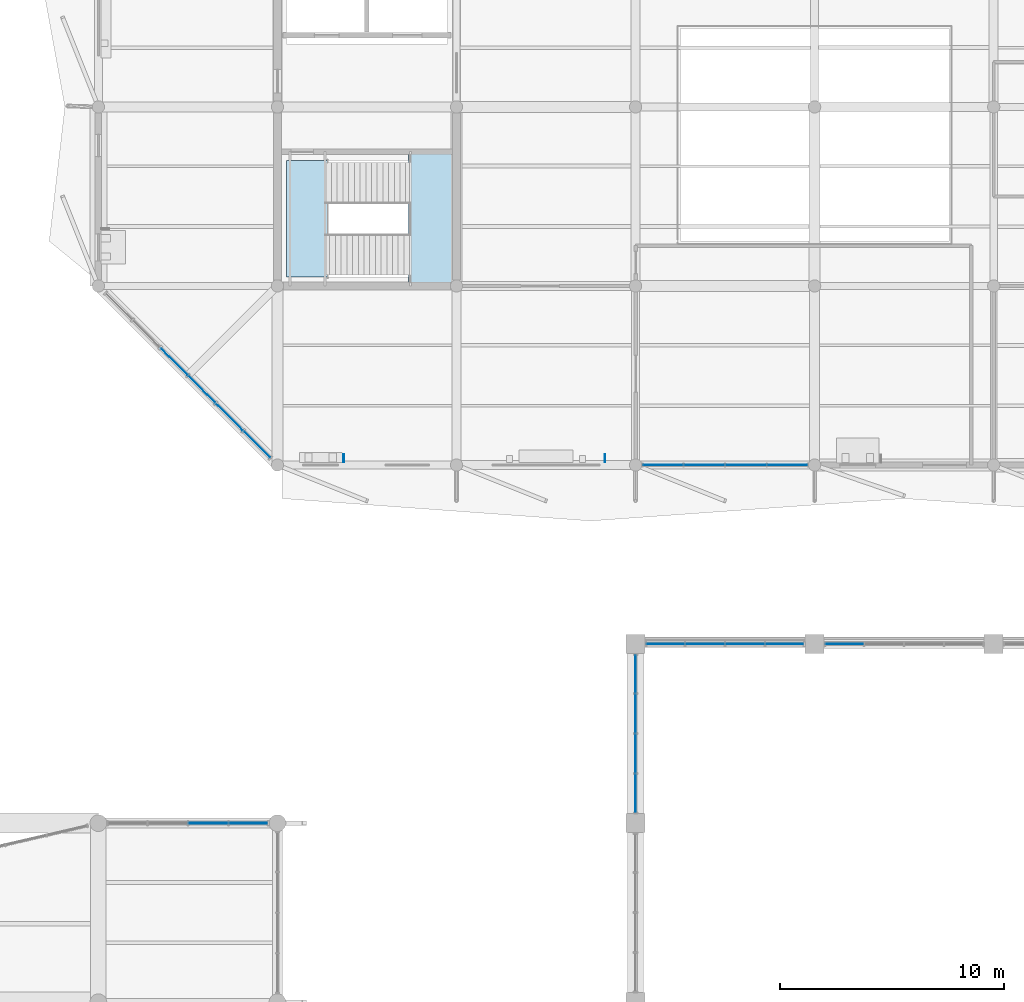
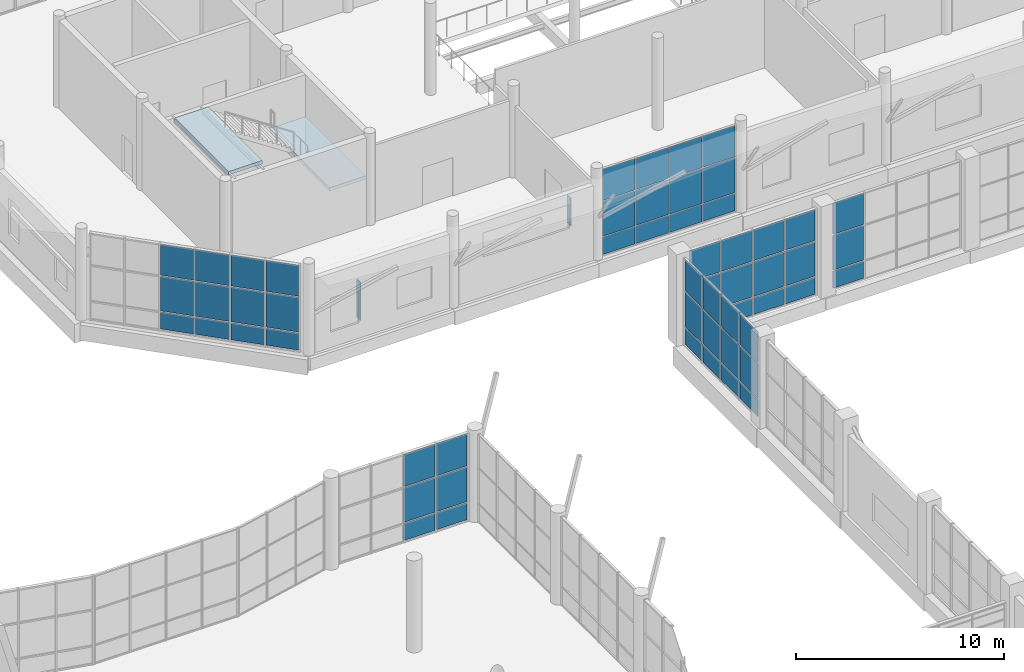
# One storey, part 88 of 122: 59 plates, 2 slabs, 7 elements without a shape of their own.
"""IFC4 building model written with IfcOpenShell, lengths in metres."""

import ifcopenshell
import ifcopenshell.guid

model = None  # the IFC model being written
_history = None  # IfcOwnerHistory: only IFC2X3 demands one
_inside = {}  # id of a spatial element -> (the spatial element, [elements in it])
_under = {}  # id of a project, library or spatial element -> (it, [spatial elements below it])
_declared = {}  # id of a project -> (the project, [libraries it declares])
_typed = {}  # id of a type object -> (the type object, [elements of that type])
_made_of = {}  # id of a material, layer set ... -> (it, [elements and type objects made of it])


def new_model(schema):
    """Start an empty IFC model of exactly this schema.

    Asked for "IFC4X3", IfcOpenShell would pick the latest addendum, in which some entities
    have other attributes; the version numbers below select the first issue.
    IFC2X3 requires an IfcOwnerHistory on every rooted entity: one is made here for all.
    """
    global model, _history
    if schema == "IFC4X3":
        model = ifcopenshell.file(schema_version=(4, 3, 0, 0))
    else:
        model = ifcopenshell.file(schema=schema)
    _inside.clear()
    _under.clear()
    _declared.clear()
    _typed.clear()
    _made_of.clear()
    _history = None
    if model.schema == "IFC2X3":
        org = make("IfcOrganization", Name="unknown")
        user = make(
            "IfcPersonAndOrganization",
            ThePerson=make("IfcPerson", FamilyName="unknown"),
            TheOrganization=org,
        )
        app = make(
            "IfcApplication",
            ApplicationDeveloper=org,
            Version="unknown",
            ApplicationFullName="unknown",
            ApplicationIdentifier="unknown",
        )
        _history = make(
            "IfcOwnerHistory",
            OwningUser=user,
            OwningApplication=app,
            ChangeAction="ADDED",
            CreationDate=0,
        )
    return model


def make(cls, **values):
    """One entity of the class cls with the attributes given. An attribute that is None is left unset."""
    return model.create_entity(
        cls, **{name: value for name, value in values.items() if value is not None}
    )


def rooted(cls, **values):
    """An entity with a GlobalId (a new one), such as an element, a storey or a relation."""
    return make(cls, GlobalId=ifcopenshell.guid.new(), OwnerHistory=_history, **values)


def si_unit(unit_type, name, prefix=None):
    """IfcSIUnit, for example si_unit("LENGTHUNIT", "METRE", prefix="MILLI")."""
    return make("IfcSIUnit", UnitType=unit_type, Prefix=prefix, Name=name)


def assignment(units):
    """IfcUnitAssignment: the units of a project."""
    return None if units is None else make("IfcUnitAssignment", Units=units)


def point(xyz):
    """IfcCartesianPoint."""
    return None if xyz is None else make("IfcCartesianPoint", Coordinates=xyz)


def direction(xyz):
    """IfcDirection."""
    return None if xyz is None else make("IfcDirection", DirectionRatios=xyz)


def frame(location, z_axis=None, x_axis=None):
    """IfcAxis2Placement3D, a coordinate frame: its origin and axes. An axis left out is left unset."""
    return make(
        "IfcAxis2Placement3D",
        Location=point(location),
        Axis=direction(z_axis),
        RefDirection=direction(x_axis),
    )


def frame_2d(location, x_axis=None):
    """IfcAxis2Placement2D, a coordinate frame in the plane: its origin and x axis."""
    return make(
        "IfcAxis2Placement2D", Location=point(location), RefDirection=direction(x_axis)
    )


def origin():
    """The frame at (0, 0, 0) with its axes left unset."""
    return frame((0.0, 0.0, 0.0))


def origin_2d():
    """The frame at (0, 0) in the plane with its x axis left unset."""
    return frame_2d((0.0, 0.0))


def place(relative_to, where):
    """IfcLocalPlacement: puts the frame where relative to a parent placement (None: the world)."""
    return make(
        "IfcLocalPlacement", PlacementRelTo=relative_to, RelativePlacement=where
    )


def context(
    kind, dimensions, precision=None, world=None, true_north=None, identifier=None
):
    """IfcGeometricRepresentationContext, for example the 3D "Model" context."""
    return make(
        "IfcGeometricRepresentationContext",
        ContextIdentifier=identifier,
        ContextType=kind,
        CoordinateSpaceDimension=dimensions,
        Precision=precision,
        WorldCoordinateSystem=world,
        TrueNorth=true_north,
    )


def subcontext(parent, identifier, kind, view, scale=None):
    """IfcGeometricRepresentationSubContext, for example "Body" below "Model"."""
    return make(
        "IfcGeometricRepresentationSubContext",
        ContextIdentifier=identifier,
        ContextType=kind,
        ParentContext=parent,
        TargetScale=scale,
        TargetView=view,
    )


def project(units=None, contexts=None):
    """IfcProject with its units and contexts."""
    return rooted(
        "IfcProject",
        Name="project",
        RepresentationContexts=contexts,
        UnitsInContext=assignment(units),
    )


def spatial(cls, under=None, at=None, **own):
    """A site, building, storey or space (cls), placed at a placement, below another one or the project."""
    s = rooted(cls, ObjectPlacement=at, **own)
    if under is not None:
        _under.setdefault(under.id(), (under, []))[1].append(s)
    return s


def polyline(points):
    """IfcPolyline through the points."""
    return make("IfcPolyline", Points=[point(p) for p in points])


def profile(cls, at=None, kind="AREA", **sizes):
    """A parametric profile (cls). Its sizes go by their IFC names, for example OverallWidth=200.0."""
    return make(cls, ProfileType=kind, Position=at, **sizes)


def rectangle(**sizes):
    """IfcRectangleProfileDef."""
    return profile("IfcRectangleProfileDef", **sizes)


def outline(outer, holes=None, kind="AREA"):
    """IfcArbitraryClosedProfileDef: a profile drawn as a closed curve; with holes, ...WithVoids."""
    if holes is None:
        return make("IfcArbitraryClosedProfileDef", ProfileType=kind, OuterCurve=outer)
    return make(
        "IfcArbitraryProfileDefWithVoids",
        ProfileType=kind,
        OuterCurve=outer,
        InnerCurves=holes,
    )


def extrude(swept, where, along, depth):
    """IfcExtrudedAreaSolid: the profile swept, set in the frame where, extruded along a direction by depth."""
    return make(
        "IfcExtrudedAreaSolid",
        SweptArea=swept,
        Position=where,
        ExtrudedDirection=direction(along),
        Depth=depth,
    )


def shape(context_of_items, identifier, shape_type, items):
    """IfcShapeRepresentation: the items that make up one representation, for example the "Body"."""
    return make(
        "IfcShapeRepresentation",
        ContextOfItems=context_of_items,
        RepresentationIdentifier=identifier,
        RepresentationType=shape_type,
        Items=items,
    )


def material(Name=None, Category=None):
    """IfcMaterial."""
    return make("IfcMaterial", Name=Name, Category=Category)


def layer(
    of_material, thickness, ventilated=None, Name=None, Category=None, Priority=None
):
    """IfcMaterialLayer: one layer of a wall or slab, of a material (None: an air gap)."""
    return make(
        "IfcMaterialLayer",
        Material=of_material,
        LayerThickness=thickness,
        IsVentilated=ventilated,
        Name=Name,
        Category=Category,
        Priority=Priority,
    )


def layer_set(layers, Name=None):
    """IfcMaterialLayerSet."""
    return make("IfcMaterialLayerSet", MaterialLayers=layers, LayerSetName=Name)


def made_of(thing, what):
    """Note that an element or type object is made of a material, layer set ...; save() writes the relation."""
    if what is not None:
        _made_of.setdefault(what.id(), (what, []))[1].append(thing)
    return thing


def type_object(cls, material=None, **own):
    """A type object (cls), such as IfcWallType, which elements share."""
    return made_of(rooted(cls, **own), material)


def element(
    cls,
    number,
    at=None,
    inside=None,
    cuts=None,
    type_object=None,
    material=None,
    context=None,
    identifier="Body",
    shape_type=None,
    held_by="IfcProductDefinitionShape",
    body=None,
    shapes=None,
    **own,
):
    """One element of the class cls, such as IfcWall. Its Tag is "e" and its number.

    at: its placement. inside: the storey or other place that contains it. cuts: it is an
    opening in that element (IfcRelVoidsElement). A single representation is given by context,
    identifier, shape_type and body (its items); several are given by shapes. held_by: the class
    of the entity that holds the representations. save() writes the other relations.
    """
    e = rooted(cls, Tag="e%d" % number, ObjectPlacement=at, **own)
    if body is not None:
        shapes = [shape(context, identifier, shape_type, body)]
    if shapes is not None:
        e.Representation = make(held_by, Representations=shapes)
    if inside is not None:
        _inside.setdefault(inside.id(), (inside, []))[1].append(e)
    if cuts is not None:
        rooted(
            "IfcRelVoidsElement", RelatingBuildingElement=cuts, RelatedOpeningElement=e
        )
    if type_object is not None:
        _typed.setdefault(type_object.id(), (type_object, []))[1].append(e)
    return made_of(e, material)


def aggregate(whole, parts):
    """IfcRelAggregates: a whole, such as a stair, and the parts it consists of."""
    return rooted("IfcRelAggregates", RelatingObject=whole, RelatedObjects=parts)


def save(model, path):
    """Write the relations noted so far, then the file.

    IfcRelAggregates (storeys below a building ...), IfcRelContainedInSpatialStructure (elements
    in a storey), IfcRelDefinesByType, IfcRelAssociatesMaterial and IfcRelDeclares: one each for
    every whole, place, type object, material and project.
    """
    for whole, parts in _under.values():
        aggregate(whole, parts)
    for where, things in _inside.values():
        rooted(
            "IfcRelContainedInSpatialStructure",
            RelatedElements=things,
            RelatingStructure=where,
        )
    for kind, things in _typed.values():
        rooted("IfcRelDefinesByType", RelatedObjects=things, RelatingType=kind)
    for what, things in _made_of.values():
        rooted("IfcRelAssociatesMaterial", RelatedObjects=things, RelatingMaterial=what)
    for by, libraries in _declared.values():
        rooted("IfcRelDeclares", RelatingContext=by, RelatedDefinitions=libraries)
    model.write(path)


model = new_model("IFC4")

# Units and contexts
model_context = context("Model", 3, precision=1e-05, world=origin(), true_north=direction((0.0, 1.0)))
body_context = subcontext(model_context, "Body", "Model", "MODEL_VIEW")
ifc_project = project(units=[si_unit("LENGTHUNIT", "METRE"), si_unit("AREAUNIT", "SQUARE_METRE"), si_unit("VOLUMEUNIT", "CUBIC_METRE"), si_unit("PLANEANGLEUNIT", "RADIAN"), si_unit("MASSUNIT", "GRAM", prefix="KILO")], contexts=[model_context])

# Site, building, storey
site_placement = place(None, origin())
site = spatial("IfcSite", under=ifc_project, at=site_placement, CompositionType="ELEMENT")
building_placement = place(site_placement, origin())
building = spatial("IfcBuilding", under=site, at=building_placement, Name="Tenunan Teduh Sports Hall", CompositionType="ELEMENT")
storey_placement = place(building_placement, frame((0.0, 0.0, 5.39990234375)))
storey = spatial("IfcBuildingStorey", under=building, at=storey_placement, Name="L01", CompositionType="ELEMENT", Elevation=5.39990234375)

# Curtain wall, plates
ifc_material_1 = material(Name="Anodised aluminium", Category="aluminium")
curtain_wall_type = type_object("IfcCurtainWallType", Name="CW-UNIT-1", PredefinedType="NOTDEFINED", material=ifc_material_1)
curtain_wall_1_placement = place(storey_placement, origin())
curtain_wall_1 = element("IfcCurtainWall", 1, at=curtain_wall_1_placement, inside=storey, type_object=curtain_wall_type, Name="CW-CWM-175-L01-118", PredefinedType="NOTDEFINED")
ifc_material_2 = material(Name="Low-E laminated double glazing", Category="glass")
ifc_layer_1 = layer(ifc_material_2, 0.028076171875)
ifc_layer_set_1 = layer_set([ifc_layer_1], Name="Low-E laminated double glazing")
plate_type_1 = type_object("IfcPlateType", Name="CWP-GLZ-28", PredefinedType="CURTAIN_PANEL", material=ifc_layer_set_1)
plate_1_placement = place(storey_placement, frame((131.3349609375, 78.0, 1.1328125), z_axis=(0.0, 0.0, 1.0), x_axis=(1.0, 0.0, 0.0)))
plate_1 = element("IfcPlate", 2, at=plate_1_placement, type_object=plate_type_1, Name="CW-01 panel 1.2", PredefinedType="CURTAIN_PANEL", context=body_context, shape_type="SweptSolid", body=[
    extrude(rectangle(XDim=1.68994140625, YDim=0.028076171875, at=origin_2d()), origin(), (0.0, 0.0, 1.0), 2.034912109375),
])
plate_2_placement = place(storey_placement, frame((131.3349609375, 78.0, 3.232421875), z_axis=(0.0, 0.0, 1.0), x_axis=(1.0, 0.0, 0.0)))
plate_2 = element("IfcPlate", 3, at=plate_2_placement, type_object=plate_type_1, Name="CW-01 panel 1.3", PredefinedType="CURTAIN_PANEL", context=body_context, shape_type="SweptSolid", body=[
    extrude(rectangle(XDim=1.68994140625, YDim=0.028076171875, at=origin_2d()), origin(), (0.0, 0.0, 1.0), 1.822509765625),
])

curtain_wall_2_placement = place(storey_placement, origin())
curtain_wall_2 = element("IfcCurtainWall", 4, at=curtain_wall_2_placement, inside=storey, type_object=curtain_wall_type, Name="CW-CWM-175-L01-126", PredefinedType="NOTDEFINED")
plate_3_placement = place(storey_placement, frame((122.0, 71.3349609375, 1.1328125), z_axis=(0.0, 0.0, 1.0), x_axis=(0.0, 1.0, 0.0)))
plate_3 = element("IfcPlate", 5, at=plate_3_placement, type_object=plate_type_1, Name="CW-01 panel 1.2", PredefinedType="CURTAIN_PANEL", context=body_context, shape_type="SweptSolid", body=[
    extrude(rectangle(XDim=1.68994140625, YDim=0.028076171875, at=origin_2d()), origin(), (0.0, 0.0, 1.0), 2.034912109375),
])
plate_4_placement = place(storey_placement, frame((122.0, 71.3349609375, 3.232421875), z_axis=(0.0, 0.0, 1.0), x_axis=(0.0, 1.0, 0.0)))
plate_4 = element("IfcPlate", 6, at=plate_4_placement, type_object=plate_type_1, Name="CW-01 panel 1.3", PredefinedType="CURTAIN_PANEL", context=body_context, shape_type="SweptSolid", body=[
    extrude(rectangle(XDim=1.68994140625, YDim=0.028076171875, at=origin_2d()), origin(), (0.0, 0.0, 1.0), 1.822509765625),
])
plate_5_placement = place(storey_placement, frame((122.0, 73.106201171875, 1.1328125), z_axis=(0.0, 0.0, 1.0), x_axis=(0.0, 1.0, 0.0)))
plate_5 = element("IfcPlate", 7, at=plate_5_placement, type_object=plate_type_1, Name="CW-01 panel 2.2", PredefinedType="CURTAIN_PANEL", context=body_context, shape_type="SweptSolid", body=[
    extrude(rectangle(XDim=1.722412109375, YDim=0.028076171875, at=origin_2d()), origin(), (0.0, 0.0, 1.0), 2.034912109375),
])
plate_6_placement = place(storey_placement, frame((122.0, 73.106201171875, 3.232421875), z_axis=(0.0, 0.0, 1.0), x_axis=(0.0, 1.0, 0.0)))
plate_6 = element("IfcPlate", 8, at=plate_6_placement, type_object=plate_type_1, Name="CW-01 panel 2.3", PredefinedType="CURTAIN_PANEL", context=body_context, shape_type="SweptSolid", body=[
    extrude(rectangle(XDim=1.722412109375, YDim=0.028076171875, at=origin_2d()), origin(), (0.0, 0.0, 1.0), 1.822509765625),
])
plate_7_placement = place(storey_placement, frame((122.0, 74.893798828125, 1.1328125), z_axis=(0.0, 0.0, 1.0), x_axis=(0.0, 1.0, 0.0)))
plate_7 = element("IfcPlate", 9, at=plate_7_placement, type_object=plate_type_1, Name="CW-01 panel 3.2", PredefinedType="CURTAIN_PANEL", context=body_context, shape_type="SweptSolid", body=[
    extrude(rectangle(XDim=1.722412109375, YDim=0.028076171875, at=origin_2d()), origin(), (0.0, 0.0, 1.0), 2.034912109375),
])
plate_8_placement = place(storey_placement, frame((122.0, 74.893798828125, 3.232421875), z_axis=(0.0, 0.0, 1.0), x_axis=(0.0, 1.0, 0.0)))
plate_8 = element("IfcPlate", 10, at=plate_8_placement, type_object=plate_type_1, Name="CW-01 panel 3.3", PredefinedType="CURTAIN_PANEL", context=body_context, shape_type="SweptSolid", body=[
    extrude(rectangle(XDim=1.722412109375, YDim=0.028076171875, at=origin_2d()), origin(), (0.0, 0.0, 1.0), 1.822509765625),
])
plate_9_placement = place(storey_placement, frame((122.0, 76.6650390625, 1.1328125), z_axis=(0.0, 0.0, 1.0), x_axis=(0.0, 1.0, 0.0)))
plate_9 = element("IfcPlate", 11, at=plate_9_placement, type_object=plate_type_1, Name="CW-01 panel 4.2", PredefinedType="CURTAIN_PANEL", context=body_context, shape_type="SweptSolid", body=[
    extrude(rectangle(XDim=1.68994140625, YDim=0.028076171875, at=origin_2d()), origin(), (0.0, 0.0, 1.0), 2.034912109375),
])
plate_10_placement = place(storey_placement, frame((122.0, 76.6650390625, 3.232421875), z_axis=(0.0, 0.0, 1.0), x_axis=(0.0, 1.0, 0.0)))
plate_10 = element("IfcPlate", 12, at=plate_10_placement, type_object=plate_type_1, Name="CW-01 panel 4.3", PredefinedType="CURTAIN_PANEL", context=body_context, shape_type="SweptSolid", body=[
    extrude(rectangle(XDim=1.68994140625, YDim=0.028076171875, at=origin_2d()), origin(), (0.0, 0.0, 1.0), 1.822509765625),
])

curtain_wall_3_placement = place(storey_placement, origin())
curtain_wall_3 = element("IfcCurtainWall", 13, at=curtain_wall_3_placement, inside=storey, type_object=curtain_wall_type, Name="CW-CWM-220-L01-117", PredefinedType="NOTDEFINED")
ifc_material_3 = material(Name="Solar-control laminated glazing", Category="glass")
ifc_layer_2 = layer(ifc_material_3, 0.031982421875)
ifc_layer_set_2 = layer_set([ifc_layer_2], Name="Solar-control laminated glazing")
plate_type_2 = type_object("IfcPlateType", Name="CWP-GLZ-32", PredefinedType="CURTAIN_PANEL", material=ifc_layer_set_2)
plate_11_placement = place(storey_placement, frame((123.33740234375, 78.0, 1.1376953125), z_axis=(0.0, 0.0, 1.0), x_axis=(1.0, 0.0, 0.0)))
plate_11 = element("IfcPlate", 14, at=plate_11_placement, type_object=plate_type_2, Name="CW-01 panel 1.2", PredefinedType="CURTAIN_PANEL", context=body_context, shape_type="SweptSolid", body=[
    extrude(rectangle(XDim=1.675048828125, YDim=0.031982421875, at=origin_2d()), origin(), (0.0, 0.0, 1.0), 2.02490234375),
])
plate_12_placement = place(storey_placement, frame((123.33740234375, 78.0, 3.237548828125), z_axis=(0.0, 0.0, 1.0), x_axis=(1.0, 0.0, 0.0)))
plate_12 = element("IfcPlate", 15, at=plate_12_placement, type_object=plate_type_2, Name="CW-01 panel 1.3", PredefinedType="CURTAIN_PANEL", context=body_context, shape_type="SweptSolid", body=[
    extrude(rectangle(XDim=1.675048828125, YDim=0.031982421875, at=origin_2d()), origin(), (0.0, 0.0, 1.0), 1.8076171875),
])
plate_13_placement = place(storey_placement, frame((125.106201171875, 78.0, 1.1376953125), z_axis=(0.0, 0.0, 1.0), x_axis=(1.0, 0.0, 0.0)))
plate_13 = element("IfcPlate", 16, at=plate_13_placement, type_object=plate_type_2, Name="CW-01 panel 2.2", PredefinedType="CURTAIN_PANEL", context=body_context, shape_type="SweptSolid", body=[
    extrude(rectangle(XDim=1.71240234375, YDim=0.031982421875, at=origin_2d()), origin(), (0.0, 0.0, 1.0), 2.02490234375),
])
plate_14_placement = place(storey_placement, frame((125.106201171875, 78.0, 3.237548828125), z_axis=(0.0, 0.0, 1.0), x_axis=(1.0, 0.0, 0.0)))
plate_14 = element("IfcPlate", 17, at=plate_14_placement, type_object=plate_type_2, Name="CW-01 panel 2.3", PredefinedType="CURTAIN_PANEL", context=body_context, shape_type="SweptSolid", body=[
    extrude(rectangle(XDim=1.71240234375, YDim=0.031982421875, at=origin_2d()), origin(), (0.0, 0.0, 1.0), 1.8076171875),
])
plate_15_placement = place(storey_placement, frame((126.893798828125, 78.0, 1.1376953125), z_axis=(0.0, 0.0, 1.0), x_axis=(1.0, 0.0, 0.0)))
plate_15 = element("IfcPlate", 18, at=plate_15_placement, type_object=plate_type_2, Name="CW-01 panel 3.2", PredefinedType="CURTAIN_PANEL", context=body_context, shape_type="SweptSolid", body=[
    extrude(rectangle(XDim=1.71240234375, YDim=0.031982421875, at=origin_2d()), origin(), (0.0, 0.0, 1.0), 2.02490234375),
])
plate_16_placement = place(storey_placement, frame((126.893798828125, 78.0, 3.237548828125), z_axis=(0.0, 0.0, 1.0), x_axis=(1.0, 0.0, 0.0)))
plate_16 = element("IfcPlate", 19, at=plate_16_placement, type_object=plate_type_2, Name="CW-01 panel 3.3", PredefinedType="CURTAIN_PANEL", context=body_context, shape_type="SweptSolid", body=[
    extrude(rectangle(XDim=1.71240234375, YDim=0.031982421875, at=origin_2d()), origin(), (0.0, 0.0, 1.0), 1.8076171875),
])
plate_17_placement = place(storey_placement, frame((128.66259765625, 78.0, 1.1376953125), z_axis=(0.0, 0.0, 1.0), x_axis=(1.0, 0.0, 0.0)))
plate_17 = element("IfcPlate", 20, at=plate_17_placement, type_object=plate_type_2, Name="CW-01 panel 4.2", PredefinedType="CURTAIN_PANEL", context=body_context, shape_type="SweptSolid", body=[
    extrude(rectangle(XDim=1.675048828125, YDim=0.031982421875, at=origin_2d()), origin(), (0.0, 0.0, 1.0), 2.02490234375),
])
plate_18_placement = place(storey_placement, frame((128.66259765625, 78.0, 3.237548828125), z_axis=(0.0, 0.0, 1.0), x_axis=(1.0, 0.0, 0.0)))
plate_18 = element("IfcPlate", 21, at=plate_18_placement, type_object=plate_type_2, Name="CW-01 panel 4.3", PredefinedType="CURTAIN_PANEL", context=body_context, shape_type="SweptSolid", body=[
    extrude(rectangle(XDim=1.675048828125, YDim=0.031982421875, at=origin_2d()), origin(), (0.0, 0.0, 1.0), 1.8076171875),
])

curtain_wall_4_placement = place(storey_placement, origin())
curtain_wall_4 = element("IfcCurtainWall", 22, at=curtain_wall_4_placement, inside=storey, type_object=curtain_wall_type, Name="CW-CWM-220-L01-165", PredefinedType="NOTDEFINED")
plate_19_placement = place(storey_placement, frame((102.90625, 70.0, 1.1376953125), z_axis=(0.0, 0.0, 1.0), x_axis=(1.0, 0.0, 0.0)))
plate_19 = element("IfcPlate", 23, at=plate_19_placement, type_object=plate_type_2, Name="CW-01 panel 3.2", PredefinedType="CURTAIN_PANEL", context=body_context, shape_type="SweptSolid", body=[
    extrude(rectangle(XDim=1.737548828125, YDim=0.031982421875, at=origin_2d()), origin(), (0.0, 0.0, 1.0), 2.02490234375),
])
plate_20_placement = place(storey_placement, frame((102.90625, 70.0, 3.23779296875), z_axis=(0.0, 0.0, 1.0), x_axis=(1.0, 0.0, 0.0)))
plate_20 = element("IfcPlate", 24, at=plate_20_placement, type_object=plate_type_2, Name="CW-01 panel 3.3", PredefinedType="CURTAIN_PANEL", context=body_context, shape_type="SweptSolid", body=[
    extrude(rectangle(XDim=1.737548828125, YDim=0.031982421875, at=origin_2d()), origin(), (0.0, 0.0, 1.0), 1.887451171875),
])
plate_21_placement = place(storey_placement, frame((104.699951171875, 70.0, 1.1376953125), z_axis=(0.0, 0.0, 1.0), x_axis=(1.0, 0.0, 0.0)))
plate_21 = element("IfcPlate", 25, at=plate_21_placement, type_object=plate_type_2, Name="CW-01 panel 4.2", PredefinedType="CURTAIN_PANEL", context=body_context, shape_type="SweptSolid", body=[
    extrude(rectangle(XDim=1.699951171875, YDim=0.031982421875, at=origin_2d()), origin(), (0.0, 0.0, 1.0), 2.02490234375),
])
plate_22_placement = place(storey_placement, frame((104.699951171875, 70.0, 3.23779296875), z_axis=(0.0, 0.0, 1.0), x_axis=(1.0, 0.0, 0.0)))
plate_22 = element("IfcPlate", 26, at=plate_22_placement, type_object=plate_type_2, Name="CW-01 panel 4.3", PredefinedType="CURTAIN_PANEL", context=body_context, shape_type="SweptSolid", body=[
    extrude(rectangle(XDim=1.699951171875, YDim=0.031982421875, at=origin_2d()), origin(), (0.0, 0.0, 1.0), 1.887451171875),
])

curtain_wall_5_placement = place(storey_placement, origin())
curtain_wall_5 = element("IfcCurtainWall", 27, at=curtain_wall_5_placement, inside=storey, type_object=curtain_wall_type, Name="CW-CWM-150-L01-243", PredefinedType="NOTDEFINED")
plate_23_placement = place(storey_placement, frame((123.22119140625, 86.0, 1.130126953125), z_axis=(0.0, 0.0, 1.0), x_axis=(1.0, 0.0, 0.0)))
plate_23 = element("IfcPlate", 28, at=plate_23_placement, type_object=plate_type_2, Name="CW-01 panel 1.2", PredefinedType="CURTAIN_PANEL", context=body_context, shape_type="SweptSolid", body=[
    extrude(rectangle(XDim=1.7724609375, YDim=0.031982421875, at=origin_2d()), origin(), (0.0, 0.0, 1.0), 2.0400390625),
])
plate_24_placement = place(storey_placement, frame((123.22119140625, 86.0, 3.22998046875), z_axis=(0.0, 0.0, 1.0), x_axis=(1.0, 0.0, 0.0)))
plate_24 = element("IfcPlate", 29, at=plate_24_placement, type_object=plate_type_2, Name="CW-01 panel 1.3", PredefinedType="CURTAIN_PANEL", context=body_context, shape_type="SweptSolid", body=[
    extrude(rectangle(XDim=1.7724609375, YDim=0.031982421875, at=origin_2d()), origin(), (0.0, 0.0, 1.0), 1.830078125),
])
plate_25_placement = place(storey_placement, frame((125.06884765625, 86.0, 1.130126953125), z_axis=(0.0, 0.0, 1.0), x_axis=(1.0, 0.0, 0.0)))
plate_25 = element("IfcPlate", 30, at=plate_25_placement, type_object=plate_type_2, Name="CW-01 panel 2.2", PredefinedType="CURTAIN_PANEL", context=body_context, shape_type="SweptSolid", body=[
    extrude(rectangle(XDim=1.802490234375, YDim=0.031982421875, at=origin_2d()), origin(), (0.0, 0.0, 1.0), 2.0400390625),
])
plate_26_placement = place(storey_placement, frame((125.06884765625, 86.0, 3.22998046875), z_axis=(0.0, 0.0, 1.0), x_axis=(1.0, 0.0, 0.0)))
plate_26 = element("IfcPlate", 31, at=plate_26_placement, type_object=plate_type_2, Name="CW-01 panel 2.3", PredefinedType="CURTAIN_PANEL", context=body_context, shape_type="SweptSolid", body=[
    extrude(rectangle(XDim=1.802490234375, YDim=0.031982421875, at=origin_2d()), origin(), (0.0, 0.0, 1.0), 1.830078125),
])
plate_27_placement = place(storey_placement, frame((126.93115234375, 86.0, 1.130126953125), z_axis=(0.0, 0.0, 1.0), x_axis=(1.0, 0.0, 0.0)))
plate_27 = element("IfcPlate", 32, at=plate_27_placement, type_object=plate_type_2, Name="CW-01 panel 3.2", PredefinedType="CURTAIN_PANEL", context=body_context, shape_type="SweptSolid", body=[
    extrude(rectangle(XDim=1.802490234375, YDim=0.031982421875, at=origin_2d()), origin(), (0.0, 0.0, 1.0), 2.0400390625),
])
plate_28_placement = place(storey_placement, frame((126.93115234375, 86.0, 3.22998046875), z_axis=(0.0, 0.0, 1.0), x_axis=(1.0, 0.0, 0.0)))
plate_28 = element("IfcPlate", 33, at=plate_28_placement, type_object=plate_type_2, Name="CW-01 panel 3.3", PredefinedType="CURTAIN_PANEL", context=body_context, shape_type="SweptSolid", body=[
    extrude(rectangle(XDim=1.802490234375, YDim=0.031982421875, at=origin_2d()), origin(), (0.0, 0.0, 1.0), 1.830078125),
])
plate_29_placement = place(storey_placement, frame((128.77880859375, 86.0, 1.130126953125), z_axis=(0.0, 0.0, 1.0), x_axis=(1.0, 0.0, 0.0)))
plate_29 = element("IfcPlate", 34, at=plate_29_placement, type_object=plate_type_2, Name="CW-01 panel 4.2", PredefinedType="CURTAIN_PANEL", context=body_context, shape_type="SweptSolid", body=[
    extrude(rectangle(XDim=1.7724609375, YDim=0.031982421875, at=origin_2d()), origin(), (0.0, 0.0, 1.0), 2.0400390625),
])
plate_30_placement = place(storey_placement, frame((128.77880859375, 86.0, 3.22998046875), z_axis=(0.0, 0.0, 1.0), x_axis=(1.0, 0.0, 0.0)))
plate_30 = element("IfcPlate", 35, at=plate_30_placement, type_object=plate_type_2, Name="CW-01 panel 4.3", PredefinedType="CURTAIN_PANEL", context=body_context, shape_type="SweptSolid", body=[
    extrude(rectangle(XDim=1.7724609375, YDim=0.031982421875, at=origin_2d()), origin(), (0.0, 0.0, 1.0), 1.830078125),
])

curtain_wall_6_placement = place(storey_placement, origin())
curtain_wall_6 = element("IfcCurtainWall", 36, at=curtain_wall_6_placement, inside=storey, type_object=curtain_wall_type, Name="CW-CWM-220-L01-253", PredefinedType="NOTDEFINED")
plate_31_placement = place(storey_placement, frame((101.38134765625, 90.61865234375, 1.1376953125), z_axis=(0.0, 0.0, 1.0), x_axis=(0.707106781187, -0.707106781187, 0.0)))
plate_31 = element("IfcPlate", 37, at=plate_31_placement, type_object=plate_type_2, Name="CW-01 panel 3.2", PredefinedType="CURTAIN_PANEL", context=body_context, shape_type="SweptSolid", body=[
    extrude(rectangle(XDim=1.674560546875, YDim=0.031982421875, at=origin_2d()), origin(), (0.0, 0.0, 1.0), 2.02490234375),
])
plate_32_placement = place(storey_placement, frame((101.38134765625, 90.61865234375, 3.237548828125), z_axis=(0.0, 0.0, 1.0), x_axis=(0.707106781187, -0.707106781187, 0.0)))
plate_32 = element("IfcPlate", 38, at=plate_32_placement, type_object=plate_type_2, Name="CW-01 panel 3.3", PredefinedType="CURTAIN_PANEL", context=body_context, shape_type="SweptSolid", body=[
    extrude(rectangle(XDim=1.674560546875, YDim=0.031982421875, at=origin_2d()), origin(), (0.0, 0.0, 1.0), 1.8076171875),
])
plate_33_placement = place(storey_placement, frame((102.61865234375, 89.38134765625, 1.1376953125), z_axis=(0.0, 0.0, 1.0), x_axis=(0.707106781187, -0.707106781187, 0.0)))
plate_33 = element("IfcPlate", 39, at=plate_33_placement, type_object=plate_type_2, Name="CW-01 panel 4.2", PredefinedType="CURTAIN_PANEL", context=body_context, shape_type="SweptSolid", body=[
    extrude(rectangle(XDim=1.674560546875, YDim=0.031982421875, at=origin_2d()), origin(), (0.0, 0.0, 1.0), 2.02490234375),
])
plate_34_placement = place(storey_placement, frame((102.61865234375, 89.38134765625, 3.237548828125), z_axis=(0.0, 0.0, 1.0), x_axis=(0.707106781187, -0.707106781187, 0.0)))
plate_34 = element("IfcPlate", 40, at=plate_34_placement, type_object=plate_type_2, Name="CW-01 panel 4.3", PredefinedType="CURTAIN_PANEL", context=body_context, shape_type="SweptSolid", body=[
    extrude(rectangle(XDim=1.674560546875, YDim=0.031982421875, at=origin_2d()), origin(), (0.0, 0.0, 1.0), 1.8076171875),
])
plate_35_placement = place(storey_placement, frame((103.855712890625, 88.144287109375, 1.1376953125), z_axis=(0.0, 0.0, 1.0), x_axis=(0.707106781187, -0.707106781187, 0.0)))
plate_35 = element("IfcPlate", 41, at=plate_35_placement, type_object=plate_type_2, Name="CW-01 panel 5.2", PredefinedType="CURTAIN_PANEL", context=body_context, shape_type="SweptSolid", body=[
    extrude(rectangle(XDim=1.674560546875, YDim=0.031982421875, at=origin_2d()), origin(), (0.0, 0.0, 1.0), 2.02490234375),
])
plate_36_placement = place(storey_placement, frame((103.855712890625, 88.144287109375, 3.237548828125), z_axis=(0.0, 0.0, 1.0), x_axis=(0.707106781187, -0.707106781187, 0.0)))
plate_36 = element("IfcPlate", 42, at=plate_36_placement, type_object=plate_type_2, Name="CW-01 panel 5.3", PredefinedType="CURTAIN_PANEL", context=body_context, shape_type="SweptSolid", body=[
    extrude(rectangle(XDim=1.674560546875, YDim=0.031982421875, at=origin_2d()), origin(), (0.0, 0.0, 1.0), 1.8076171875),
])
plate_37_placement = place(storey_placement, frame((105.07958984375, 86.92041015625, 1.1376953125), z_axis=(0.0, 0.0, 1.0), x_axis=(0.707106781187, -0.707106781187, 0.0)))
plate_37 = element("IfcPlate", 43, at=plate_37_placement, type_object=plate_type_2, Name="CW-01 panel 6.2", PredefinedType="CURTAIN_PANEL", context=body_context, shape_type="SweptSolid", body=[
    extrude(rectangle(XDim=1.636962890625, YDim=0.031982421875, at=origin_2d()), origin(), (0.0, 0.0, 1.0), 2.02490234375),
])
plate_38_placement = place(storey_placement, frame((105.07958984375, 86.92041015625, 3.237548828125), z_axis=(0.0, 0.0, 1.0), x_axis=(0.707106781187, -0.707106781187, 0.0)))
plate_38 = element("IfcPlate", 44, at=plate_38_placement, type_object=plate_type_2, Name="CW-01 panel 6.3", PredefinedType="CURTAIN_PANEL", context=body_context, shape_type="SweptSolid", body=[
    extrude(rectangle(XDim=1.636962890625, YDim=0.031982421875, at=origin_2d()), origin(), (0.0, 0.0, 1.0), 1.8076171875),
])

# Plate
ifc_material_4 = material(Name="Insulated aluminium spandrel panel", Category="aluminium")
ifc_layer_3 = layer(ifc_material_4, 0.044921875)
ifc_layer_set_3 = layer_set([ifc_layer_3], Name="Insulated aluminium spandrel panel")
plate_type_3 = type_object("IfcPlateType", Name="CWP-SPN-45", PredefinedType="CURTAIN_PANEL", material=ifc_layer_set_3)
plate_39_placement = place(storey_placement, frame((123.33740234375, 78.0, 0.0751953125), z_axis=(0.0, 0.0, 1.0), x_axis=(1.0, 0.0, 0.0)))
plate_39 = element("IfcPlate", 45, at=plate_39_placement, type_object=plate_type_3, Name="CW-01 panel 1.1", PredefinedType="CURTAIN_PANEL", context=body_context, shape_type="SweptSolid", body=[
    extrude(rectangle(XDim=1.675048828125, YDim=0.031982421875, at=origin_2d()), origin(), (0.0, 0.0, 1.0), 0.987548828125),
])

plate_40_placement = place(storey_placement, frame((125.106201171875, 78.0, 0.0751953125), z_axis=(0.0, 0.0, 1.0), x_axis=(1.0, 0.0, 0.0)))
plate_40 = element("IfcPlate", 46, at=plate_40_placement, type_object=plate_type_3, Name="CW-01 panel 2.1", PredefinedType="CURTAIN_PANEL", context=body_context, shape_type="SweptSolid", body=[
    extrude(rectangle(XDim=1.71240234375, YDim=0.031982421875, at=origin_2d()), origin(), (0.0, 0.0, 1.0), 0.987548828125),
])

plate_41_placement = place(storey_placement, frame((126.893798828125, 78.0, 0.0751953125), z_axis=(0.0, 0.0, 1.0), x_axis=(1.0, 0.0, 0.0)))
plate_41 = element("IfcPlate", 47, at=plate_41_placement, type_object=plate_type_3, Name="CW-01 panel 3.1", PredefinedType="CURTAIN_PANEL", context=body_context, shape_type="SweptSolid", body=[
    extrude(rectangle(XDim=1.71240234375, YDim=0.031982421875, at=origin_2d()), origin(), (0.0, 0.0, 1.0), 0.987548828125),
])

plate_42_placement = place(storey_placement, frame((128.66259765625, 78.0, 0.0751953125), z_axis=(0.0, 0.0, 1.0), x_axis=(1.0, 0.0, 0.0)))
plate_42 = element("IfcPlate", 48, at=plate_42_placement, type_object=plate_type_3, Name="CW-01 panel 4.1", PredefinedType="CURTAIN_PANEL", context=body_context, shape_type="SweptSolid", body=[
    extrude(rectangle(XDim=1.675048828125, YDim=0.031982421875, at=origin_2d()), origin(), (0.0, 0.0, 1.0), 0.987548828125),
])

aggregate(curtain_wall_3, [plate_39, plate_11, plate_12, plate_40, plate_13, plate_14, plate_41, plate_15, plate_16, plate_42, plate_17, plate_18])

plate_43_placement = place(storey_placement, frame((131.3349609375, 78.0, 0.065185546875), z_axis=(0.0, 0.0, 1.0), x_axis=(1.0, 0.0, 0.0)))
plate_43 = element("IfcPlate", 49, at=plate_43_placement, type_object=plate_type_3, Name="CW-01 panel 1.1", PredefinedType="CURTAIN_PANEL", context=body_context, shape_type="SweptSolid", body=[
    extrude(rectangle(XDim=1.68994140625, YDim=0.028076171875, at=origin_2d()), origin(), (0.0, 0.0, 1.0), 1.00244140625),
])

aggregate(curtain_wall_1, [plate_43, plate_1, plate_2])

plate_44_placement = place(storey_placement, frame((122.0, 71.3349609375, 0.065185546875), z_axis=(0.0, 0.0, 1.0), x_axis=(0.0, 1.0, 0.0)))
plate_44 = element("IfcPlate", 50, at=plate_44_placement, type_object=plate_type_3, Name="CW-01 panel 1.1", PredefinedType="CURTAIN_PANEL", context=body_context, shape_type="SweptSolid", body=[
    extrude(rectangle(XDim=1.68994140625, YDim=0.028076171875, at=origin_2d()), origin(), (0.0, 0.0, 1.0), 1.00244140625),
])

plate_45_placement = place(storey_placement, frame((122.0, 73.106201171875, 0.065185546875), z_axis=(0.0, 0.0, 1.0), x_axis=(0.0, 1.0, 0.0)))
plate_45 = element("IfcPlate", 51, at=plate_45_placement, type_object=plate_type_3, Name="CW-01 panel 2.1", PredefinedType="CURTAIN_PANEL", context=body_context, shape_type="SweptSolid", body=[
    extrude(rectangle(XDim=1.722412109375, YDim=0.028076171875, at=origin_2d()), origin(), (0.0, 0.0, 1.0), 1.00244140625),
])

plate_46_placement = place(storey_placement, frame((122.0, 74.893798828125, 0.065185546875), z_axis=(0.0, 0.0, 1.0), x_axis=(0.0, 1.0, 0.0)))
plate_46 = element("IfcPlate", 52, at=plate_46_placement, type_object=plate_type_3, Name="CW-01 panel 3.1", PredefinedType="CURTAIN_PANEL", context=body_context, shape_type="SweptSolid", body=[
    extrude(rectangle(XDim=1.722412109375, YDim=0.028076171875, at=origin_2d()), origin(), (0.0, 0.0, 1.0), 1.00244140625),
])

plate_47_placement = place(storey_placement, frame((122.0, 76.6650390625, 0.065185546875), z_axis=(0.0, 0.0, 1.0), x_axis=(0.0, 1.0, 0.0)))
plate_47 = element("IfcPlate", 53, at=plate_47_placement, type_object=plate_type_3, Name="CW-01 panel 4.1", PredefinedType="CURTAIN_PANEL", context=body_context, shape_type="SweptSolid", body=[
    extrude(rectangle(XDim=1.68994140625, YDim=0.028076171875, at=origin_2d()), origin(), (0.0, 0.0, 1.0), 1.00244140625),
])

aggregate(curtain_wall_2, [plate_44, plate_3, plate_4, plate_45, plate_5, plate_6, plate_46, plate_7, plate_8, plate_47, plate_9, plate_10])

plate_48_placement = place(storey_placement, frame((102.90625, 70.0, 0.0751953125), z_axis=(0.0, 0.0, 1.0), x_axis=(1.0, 0.0, 0.0)))
plate_48 = element("IfcPlate", 54, at=plate_48_placement, type_object=plate_type_3, Name="CW-01 panel 3.1", PredefinedType="CURTAIN_PANEL", context=body_context, shape_type="SweptSolid", body=[
    extrude(rectangle(XDim=1.737548828125, YDim=0.031982421875, at=origin_2d()), origin(), (0.0, 0.0, 1.0), 0.987548828125),
])

plate_49_placement = place(storey_placement, frame((104.699951171875, 70.0, 0.0751953125), z_axis=(0.0, 0.0, 1.0), x_axis=(1.0, 0.0, 0.0)))
plate_49 = element("IfcPlate", 55, at=plate_49_placement, type_object=plate_type_3, Name="CW-01 panel 4.1", PredefinedType="CURTAIN_PANEL", context=body_context, shape_type="SweptSolid", body=[
    extrude(rectangle(XDim=1.699951171875, YDim=0.031982421875, at=origin_2d()), origin(), (0.0, 0.0, 1.0), 0.987548828125),
])

aggregate(curtain_wall_4, [plate_48, plate_19, plate_20, plate_49, plate_21, plate_22])

plate_50_placement = place(storey_placement, frame((123.22119140625, 86.0, 0.06005859375), z_axis=(0.0, 0.0, 1.0), x_axis=(1.0, 0.0, 0.0)))
plate_50 = element("IfcPlate", 56, at=plate_50_placement, type_object=plate_type_3, Name="CW-01 panel 1.1", PredefinedType="CURTAIN_PANEL", context=body_context, shape_type="SweptSolid", body=[
    extrude(rectangle(XDim=1.7724609375, YDim=0.031982421875, at=origin_2d()), origin(), (0.0, 0.0, 1.0), 1.010009765625),
])

plate_51_placement = place(storey_placement, frame((125.06884765625, 86.0, 0.06005859375), z_axis=(0.0, 0.0, 1.0), x_axis=(1.0, 0.0, 0.0)))
plate_51 = element("IfcPlate", 57, at=plate_51_placement, type_object=plate_type_3, Name="CW-01 panel 2.1", PredefinedType="CURTAIN_PANEL", context=body_context, shape_type="SweptSolid", body=[
    extrude(rectangle(XDim=1.802490234375, YDim=0.031982421875, at=origin_2d()), origin(), (0.0, 0.0, 1.0), 1.010009765625),
])

plate_52_placement = place(storey_placement, frame((126.93115234375, 86.0, 0.06005859375), z_axis=(0.0, 0.0, 1.0), x_axis=(1.0, 0.0, 0.0)))
plate_52 = element("IfcPlate", 58, at=plate_52_placement, type_object=plate_type_3, Name="CW-01 panel 3.1", PredefinedType="CURTAIN_PANEL", context=body_context, shape_type="SweptSolid", body=[
    extrude(rectangle(XDim=1.802490234375, YDim=0.031982421875, at=origin_2d()), origin(), (0.0, 0.0, 1.0), 1.010009765625),
])

plate_53_placement = place(storey_placement, frame((128.77880859375, 86.0, 0.06005859375), z_axis=(0.0, 0.0, 1.0), x_axis=(1.0, 0.0, 0.0)))
plate_53 = element("IfcPlate", 59, at=plate_53_placement, type_object=plate_type_3, Name="CW-01 panel 4.1", PredefinedType="CURTAIN_PANEL", context=body_context, shape_type="SweptSolid", body=[
    extrude(rectangle(XDim=1.7724609375, YDim=0.031982421875, at=origin_2d()), origin(), (0.0, 0.0, 1.0), 1.010009765625),
])

aggregate(curtain_wall_5, [plate_50, plate_23, plate_24, plate_51, plate_25, plate_26, plate_52, plate_27, plate_28, plate_53, plate_29, plate_30])

plate_54_placement = place(storey_placement, frame((101.38134765625, 90.61865234375, 0.0751953125), z_axis=(0.0, 0.0, 1.0), x_axis=(0.707106781187, -0.707106781187, 0.0)))
plate_54 = element("IfcPlate", 60, at=plate_54_placement, type_object=plate_type_3, Name="CW-01 panel 3.1", PredefinedType="CURTAIN_PANEL", context=body_context, shape_type="SweptSolid", body=[
    extrude(rectangle(XDim=1.674560546875, YDim=0.031982421875, at=origin_2d()), origin(), (0.0, 0.0, 1.0), 0.987548828125),
])

plate_55_placement = place(storey_placement, frame((102.61865234375, 89.38134765625, 0.0751953125), z_axis=(0.0, 0.0, 1.0), x_axis=(0.707106781187, -0.707106781187, 0.0)))
plate_55 = element("IfcPlate", 61, at=plate_55_placement, type_object=plate_type_3, Name="CW-01 panel 4.1", PredefinedType="CURTAIN_PANEL", context=body_context, shape_type="SweptSolid", body=[
    extrude(rectangle(XDim=1.674560546875, YDim=0.031982421875, at=origin_2d()), origin(), (0.0, 0.0, 1.0), 0.987548828125),
])

plate_56_placement = place(storey_placement, frame((103.855712890625, 88.144287109375, 0.0751953125), z_axis=(0.0, 0.0, 1.0), x_axis=(0.707106781187, -0.707106781187, 0.0)))
plate_56 = element("IfcPlate", 62, at=plate_56_placement, type_object=plate_type_3, Name="CW-01 panel 5.1", PredefinedType="CURTAIN_PANEL", context=body_context, shape_type="SweptSolid", body=[
    extrude(rectangle(XDim=1.674560546875, YDim=0.031982421875, at=origin_2d()), origin(), (0.0, 0.0, 1.0), 0.987548828125),
])

plate_57_placement = place(storey_placement, frame((105.07958984375, 86.92041015625, 0.0751953125), z_axis=(0.0, 0.0, 1.0), x_axis=(0.707106781187, -0.707106781187, 0.0)))
plate_57 = element("IfcPlate", 63, at=plate_57_placement, type_object=plate_type_3, Name="CW-01 panel 6.1", PredefinedType="CURTAIN_PANEL", context=body_context, shape_type="SweptSolid", body=[
    extrude(rectangle(XDim=1.636962890625, YDim=0.031982421875, at=origin_2d()), origin(), (0.0, 0.0, 1.0), 0.987548828125),
])

aggregate(curtain_wall_6, [plate_54, plate_31, plate_32, plate_55, plate_33, plate_34, plate_56, plate_35, plate_36, plate_57, plate_37, plate_38])

# Plates
ifc_material_5 = material(Name="Anodised aluminium", Category="aluminium")
ifc_layer_4 = layer(ifc_material_5, 1.89990234375)
ifc_layer_set_4 = layer_set([ifc_layer_4], Name="Anodised aluminium")
plate_type_4 = type_object("IfcPlateType", Name="PLT-FIN-1", PredefinedType="SHEET", material=ifc_layer_set_4)
plate_58_placement = place(storey_placement, frame((108.965087890625, 86.304931640625, 0.7802734375), z_axis=(0.0, 0.0, 1.0), x_axis=(1.0, 0.0, 0.0)))
element("IfcPlate", 64, at=plate_58_placement, inside=storey, type_object=plate_type_4, Name="PLT-FIN-L01-081", PredefinedType="SHEET", context=body_context, shape_type="SweptSolid", body=[
    extrude(rectangle(XDim=0.0400390625, YDim=0.360107421875, at=origin_2d()), origin(), (0.0, 0.0, 1.0), 2.239990234375),
])
plate_59_placement = place(storey_placement, frame((120.635009765625, 86.300048828125, 2.22998046875), z_axis=(0.0, 0.0, 1.0), x_axis=(1.0, 0.0, 0.0)))
element("IfcPlate", 65, at=plate_59_placement, inside=storey, type_object=plate_type_4, Name="PLT-FIN-L01-082", PredefinedType="SHEET", context=body_context, shape_type="SweptSolid", body=[
    extrude(rectangle(XDim=0.0400390625, YDim=0.360107421875, at=origin_2d()), origin(), (0.0, 0.0, 1.0), 1.639892578125),
])

# Stair, slabs
ifc_material_6 = material(Name="Precast concrete C40/50", Category="concrete")
stair_type = type_object("IfcStairType", Name="STR-CORE-54", PredefinedType="HALF_TURN_STAIR", material=ifc_material_6)
stair_placement = place(storey_placement, origin())
stair = element("IfcStair", 66, at=stair_placement, inside=storey, type_object=stair_type, Name="STR-E1-L01", PredefinedType="HALF_TURN_STAIR")
ifc_material_7 = material(Name="Precast concrete C40/50", Category="concrete")
ifc_layer_5 = layer(ifc_material_7, 0.199951171875)
ifc_layer_set_5 = layer_set([ifc_layer_5], Name="Precast concrete C40/50")
slab_type = type_object("IfcSlabType", Name="SLB-LND-200", PredefinedType="LANDING", material=ifc_layer_set_5)
slab_1_placement = place(storey_placement, frame((0.0, 0.0, 2.5)))
slab_1 = element("IfcSlab", 67, at=slab_1_placement, type_object=slab_type, Name="ST-17 landing 1", PredefinedType="LANDING", context=body_context, shape_type="SweptSolid", body=[
    extrude(outline(polyline([(111.864990234375, 94.139892578125), (113.860107421875, 94.139892578125), (113.860107421875, 99.89990234375), (111.864990234375, 99.89990234375), (111.864990234375, 94.139892578125)])), origin(), (0.0, 0.0, 1.0), 0.2001953125),
])
slab_2_placement = place(storey_placement, frame((0.0, 0.0, 5.2001953125)))
slab_2 = element("IfcSlab", 68, at=slab_2_placement, type_object=slab_type, Name="ST-17 landing 2", PredefinedType="LANDING", context=body_context, shape_type="SweptSolid", body=[
    extrude(outline(polyline([(106.39990234375, 94.39990234375), (108.280029296875, 94.39990234375), (108.280029296875, 99.60009765625), (106.39990234375, 99.60009765625), (106.39990234375, 94.39990234375)])), origin(), (0.0, 0.0, 1.0), 0.199951171875),
])
aggregate(stair, [slab_1, slab_2])

save(model, "model.ifc")
